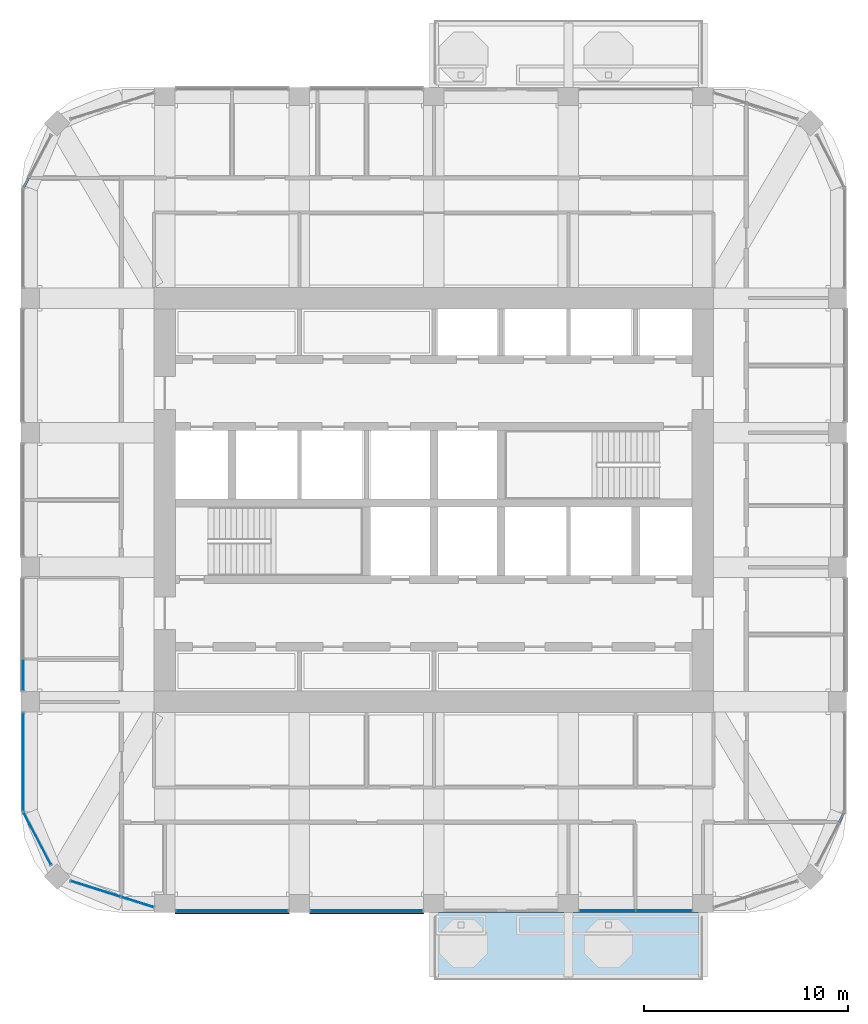
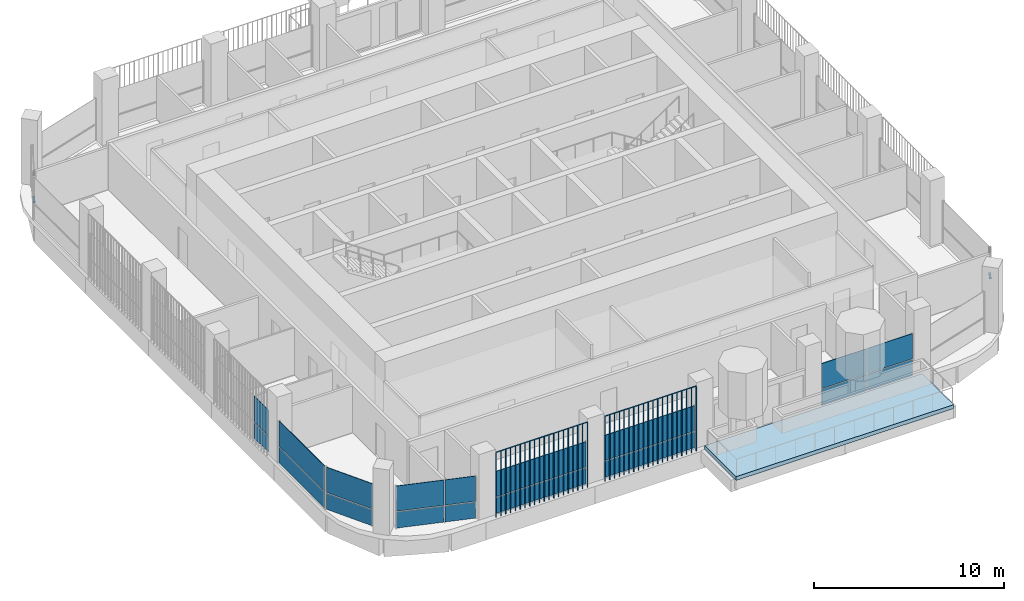
# One storey, part 8 of 21: 20 plates, 2 members, 1 slab, 9 elements without a shape of their own.
"""IFC4 building model written with IfcOpenShell, lengths in metres."""

from ifc_helpers import new_model, si_unit, direction, frame, origin, origin_2d, place, context, subcontext, project, spatial, polyline, rectangle, outline, extrude, material, layer, layer_set, material_profile, profile_set, type_object, element, aggregate, save


model = new_model("IFC4")

# Units and contexts
model_context = context("Model", 3, precision=1e-05, world=origin(), true_north=direction((0.0, 1.0)))
body_context = subcontext(model_context, "Body", "Model", "MODEL_VIEW")
ifc_project = project(units=[si_unit("LENGTHUNIT", "METRE"), si_unit("AREAUNIT", "SQUARE_METRE"), si_unit("VOLUMEUNIT", "CUBIC_METRE"), si_unit("PLANEANGLEUNIT", "RADIAN"), si_unit("MASSUNIT", "GRAM", prefix="KILO")], contexts=[model_context])

# Site, building, storey
site_placement = place(None, origin())
site = spatial("IfcSite", under=ifc_project, at=site_placement, CompositionType="ELEMENT")
building_placement = place(site_placement, origin())
building = spatial("IfcBuilding", under=site, at=building_placement, Name="Cobogo Forest Laboratory Tower", CompositionType="ELEMENT")
storey_placement = place(building_placement, frame((0.0, 0.0, 275.39990234375)))
storey = spatial("IfcBuildingStorey", under=building, at=storey_placement, Name="L63", CompositionType="ELEMENT", Elevation=275.39990234375)

# Curtain wall, member
ifc_material_1 = material(Name="Aluminium curtain wall", Category="aluminium")
curtain_wall_type = type_object("IfcCurtainWallType", Name="CW-2 unitised curtain wall, solar control glazing, laboratory floors zones C and D", PredefinedType="USERDEFINED", material=ifc_material_1)
curtain_wall_1_placement = place(storey_placement, origin())
curtain_wall_1 = element("IfcCurtainWall", 1, at=curtain_wall_1_placement, inside=storey, type_object=curtain_wall_type, Name="Curtain wall 06 L63", ObjectType="UNITISED CURTAIN WALL", PredefinedType="USERDEFINED")
ifc_material_2 = material(Name="Aluminium transom", Category="aluminium")
ifc_material_profile = material_profile(ifc_material_2, rectangle(XDim=0.1201171875, YDim=0.06005859375, at=origin_2d()), Name="AL 60x120")
ifc_profile_set = profile_set([ifc_material_profile], Name="Aluminium transom")
member_type = type_object("IfcMemberType", Name="TR-1 aluminium transom 60x120", PredefinedType="USERDEFINED", material=ifc_profile_set)
member_1_placement = place(storey_placement, frame((46.282470703125, 7.289306640625, 1.050048828125), z_axis=(0.46414828098, 0.885757513806, 0.0), x_axis=(-0.885757513806, 0.46414828098, 0.0)))
member_1 = element("IfcMember", 2, at=member_1_placement, type_object=member_type, Name="CW-2 transom 2.1", ObjectType="TRANSOM", PredefinedType="USERDEFINED", context=body_context, shape_type="SweptSolid", body=[
    extrude(rectangle(XDim=0.1201171875, YDim=0.06005859375, at=origin_2d()), origin(), (0.0, 0.0, 1.0), 0.5166015625),
])
aggregate(curtain_wall_1, [member_1])

curtain_wall_2_placement = place(storey_placement, origin())
curtain_wall_2 = element("IfcCurtainWall", 3, at=curtain_wall_2_placement, inside=storey, type_object=curtain_wall_type, Name="Curtain wall 19 L63", ObjectType="UNITISED CURTAIN WALL", PredefinedType="USERDEFINED")
member_2_placement = place(storey_placement, frame((6.517578125, 38.91064453125, 1.050048828125), z_axis=(-0.46414828098, -0.885757513806, 0.0), x_axis=(0.885757513806, -0.46414828098, 0.0)))
member_2 = element("IfcMember", 4, at=member_2_placement, type_object=member_type, Name="CW-2 transom 2.1", ObjectType="TRANSOM", PredefinedType="USERDEFINED", context=body_context, shape_type="SweptSolid", body=[
    extrude(rectangle(XDim=0.1201171875, YDim=0.06005859375, at=origin_2d()), origin(), (0.0, 0.0, 1.0), 0.5166015625),
])
aggregate(curtain_wall_2, [member_2])

# Slab
ifc_material_3 = material(Name="Concrete HA-40 (C40/50)", Category="concrete")
ifc_layer_1 = layer(ifc_material_3, 0.25)
ifc_layer_set_1 = layer_set([ifc_layer_1], Name="Balcony slab 250")
slab_type = type_object("IfcSlabType", Name="Balcony slab 250", PredefinedType="FLOOR", material=ifc_layer_set_1)
slab_placement = place(storey_placement, frame((0.0, 0.0, -0.25)))
element("IfcSlab", 5, at=slab_placement, inside=storey, type_object=slab_type, Name="Balcony BAL-S1 L63", PredefinedType="FLOOR", context=body_context, shape_type="SweptSolid", body=[
    extrude(outline(polyline([(26.39990234375, -0.449951171875), (39.60009765625, -0.449951171875), (39.60009765625, 2.85009765625), (26.39990234375, 2.85009765625), (26.39990234375, -0.449951171875)])), origin(), (0.0, 0.0, 1.0), 0.25),
])

# Curtain wall, plates
curtain_wall_3_placement = place(storey_placement, origin())
curtain_wall_3 = element("IfcCurtainWall", 6, at=curtain_wall_3_placement, inside=storey, type_object=curtain_wall_type, Name="Curtain wall 01 L63", ObjectType="UNITISED CURTAIN WALL", PredefinedType="USERDEFINED")
ifc_material_4 = material(Name="Solar control insulated glass", Category="glass")
ifc_layer_2 = layer(ifc_material_4, 0.031982421875)
ifc_layer_set_2 = layer_set([ifc_layer_2], Name="GP-2 solar control glass unit 32")
plate_type_1 = type_object("IfcPlateType", Name="GP-2 solar control glass unit 32", PredefinedType="CURTAIN_PANEL", material=ifc_layer_set_2)
plate_1_placement = place(storey_placement, frame((16.5, 2.949951171875, 0.0), z_axis=(0.0, 0.0, 1.0), x_axis=(1.0, 0.0, 0.0)))
plate_1 = element("IfcPlate", 7, at=plate_1_placement, type_object=plate_type_1, Name="CW-2 panel 1.1", PredefinedType="CURTAIN_PANEL", context=body_context, shape_type="SweptSolid", body=[
    extrude(rectangle(XDim=5.47998046875, YDim=0.031982421875, at=origin_2d()), origin(), (0.0, 0.0, 1.0), 1.02001953125),
])
plate_2_placement = place(storey_placement, frame((16.5, 2.949951171875, 1.080078125), z_axis=(0.0, 0.0, 1.0), x_axis=(1.0, 0.0, 0.0)))
plate_2 = element("IfcPlate", 8, at=plate_2_placement, type_object=plate_type_1, Name="CW-2 panel 1.2", PredefinedType="CURTAIN_PANEL", context=body_context, shape_type="SweptSolid", body=[
    extrude(rectangle(XDim=5.47998046875, YDim=0.031982421875, at=origin_2d()), origin(), (0.0, 0.0, 1.0), 1.6201171875),
])
aggregate(curtain_wall_3, [plate_1, plate_2])

curtain_wall_4_placement = place(storey_placement, origin())
curtain_wall_4 = element("IfcCurtainWall", 9, at=curtain_wall_4_placement, inside=storey, type_object=curtain_wall_type, Name="Curtain wall 02 L63", ObjectType="UNITISED CURTAIN WALL", PredefinedType="USERDEFINED")
plate_3_placement = place(storey_placement, frame((23.10009765625, 2.949951171875, 0.0), z_axis=(0.0, 0.0, 1.0), x_axis=(1.0, 0.0, 0.0)))
plate_3 = element("IfcPlate", 10, at=plate_3_placement, type_object=plate_type_1, Name="CW-2 panel 1.1", PredefinedType="CURTAIN_PANEL", context=body_context, shape_type="SweptSolid", body=[
    extrude(rectangle(XDim=5.47998046875, YDim=0.031982421875, at=origin_2d()), origin(), (0.0, 0.0, 1.0), 1.02001953125),
])
plate_4_placement = place(storey_placement, frame((23.10009765625, 2.949951171875, 1.080078125), z_axis=(0.0, 0.0, 1.0), x_axis=(1.0, 0.0, 0.0)))
plate_4 = element("IfcPlate", 11, at=plate_4_placement, type_object=plate_type_1, Name="CW-2 panel 1.2", PredefinedType="CURTAIN_PANEL", context=body_context, shape_type="SweptSolid", body=[
    extrude(rectangle(XDim=5.47998046875, YDim=0.031982421875, at=origin_2d()), origin(), (0.0, 0.0, 1.0), 1.6201171875),
])
aggregate(curtain_wall_4, [plate_3, plate_4])

curtain_wall_5_placement = place(storey_placement, origin())
curtain_wall_5 = element("IfcCurtainWall", 12, at=curtain_wall_5_placement, inside=storey, type_object=curtain_wall_type, Name="Curtain wall 04 L63", ObjectType="UNITISED CURTAIN WALL", PredefinedType="USERDEFINED")
plate_5_placement = place(storey_placement, frame((34.9150390625, 2.949951171875, 0.0), z_axis=(0.0, 0.0, 1.0), x_axis=(1.0, 0.0, 0.0)))
plate_5 = element("IfcPlate", 13, at=plate_5_placement, type_object=plate_type_1, Name="CW-2 panel 1.1", PredefinedType="CURTAIN_PANEL", context=body_context, shape_type="SweptSolid", body=[
    extrude(rectangle(XDim=2.7099609375, YDim=0.031982421875, at=origin_2d()), origin(), (0.0, 0.0, 1.0), 1.02001953125),
])
plate_6_placement = place(storey_placement, frame((34.9150390625, 2.949951171875, 1.080078125), z_axis=(0.0, 0.0, 1.0), x_axis=(1.0, 0.0, 0.0)))
plate_6 = element("IfcPlate", 14, at=plate_6_placement, type_object=plate_type_1, Name="CW-2 panel 1.2", PredefinedType="CURTAIN_PANEL", context=body_context, shape_type="SweptSolid", body=[
    extrude(rectangle(XDim=2.7099609375, YDim=0.031982421875, at=origin_2d()), origin(), (0.0, 0.0, 1.0), 1.6201171875),
])
plate_7_placement = place(storey_placement, frame((37.68505859375, 2.949951171875, 0.0), z_axis=(0.0, 0.0, 1.0), x_axis=(1.0, 0.0, 0.0)))
plate_7 = element("IfcPlate", 15, at=plate_7_placement, type_object=plate_type_1, Name="CW-2 panel 2.1", PredefinedType="CURTAIN_PANEL", context=body_context, shape_type="SweptSolid", body=[
    extrude(rectangle(XDim=2.7099609375, YDim=0.031982421875, at=origin_2d()), origin(), (0.0, 0.0, 1.0), 1.02001953125),
])
plate_8_placement = place(storey_placement, frame((37.68505859375, 2.949951171875, 1.080078125), z_axis=(0.0, 0.0, 1.0), x_axis=(1.0, 0.0, 0.0)))
plate_8 = element("IfcPlate", 16, at=plate_8_placement, type_object=plate_type_1, Name="CW-2 panel 2.2", PredefinedType="CURTAIN_PANEL", context=body_context, shape_type="SweptSolid", body=[
    extrude(rectangle(XDim=2.7099609375, YDim=0.031982421875, at=origin_2d()), origin(), (0.0, 0.0, 1.0), 1.6201171875),
])
aggregate(curtain_wall_5, [plate_5, plate_6, plate_7, plate_8])

curtain_wall_6_placement = place(storey_placement, origin())
curtain_wall_6 = element("IfcCurtainWall", 17, at=curtain_wall_6_placement, inside=storey, type_object=curtain_wall_type, Name="Curtain wall 23 L63", ObjectType="UNITISED CURTAIN WALL", PredefinedType="USERDEFINED")
plate_9_placement = place(storey_placement, frame((6.25, 14.514892578125, 0.0), z_axis=(0.0, 0.0, 1.0), x_axis=(0.0, -1.0, 0.0)))
plate_9 = element("IfcPlate", 18, at=plate_9_placement, type_object=plate_type_1, Name="CW-2 panel 2.1", PredefinedType="CURTAIN_PANEL", context=body_context, shape_type="SweptSolid", body=[
    extrude(rectangle(XDim=1.510009765625, YDim=0.031982421875, at=origin_2d()), origin(), (0.0, 0.0, 1.0), 1.02001953125),
])
plate_10_placement = place(storey_placement, frame((6.25, 14.514892578125, 1.080078125), z_axis=(0.0, 0.0, 1.0), x_axis=(0.0, -1.0, 0.0)))
plate_10 = element("IfcPlate", 19, at=plate_10_placement, type_object=plate_type_1, Name="CW-2 panel 2.2", PredefinedType="CURTAIN_PANEL", context=body_context, shape_type="SweptSolid", body=[
    extrude(rectangle(XDim=1.510009765625, YDim=0.031982421875, at=origin_2d()), origin(), (0.0, 0.0, 1.0), 1.6201171875),
])
aggregate(curtain_wall_6, [plate_9, plate_10])

curtain_wall_7_placement = place(storey_placement, origin())
curtain_wall_7 = element("IfcCurtainWall", 20, at=curtain_wall_7_placement, inside=storey, type_object=curtain_wall_type, Name="Curtain wall 24 L63", ObjectType="UNITISED CURTAIN WALL", PredefinedType="USERDEFINED")
plate_11_placement = place(storey_placement, frame((6.25, 10.25, 0.0), z_axis=(0.0, 0.0, 1.0), x_axis=(0.0, -1.0, 0.0)))
plate_11 = element("IfcPlate", 21, at=plate_11_placement, type_object=plate_type_1, Name="CW-2 panel 1.1", PredefinedType="CURTAIN_PANEL", context=body_context, shape_type="SweptSolid", body=[
    extrude(rectangle(XDim=4.780029296875, YDim=0.031982421875, at=origin_2d()), origin(), (0.0, 0.0, 1.0), 1.02001953125),
])
plate_12_placement = place(storey_placement, frame((6.25, 10.25, 1.080078125), z_axis=(0.0, 0.0, 1.0), x_axis=(0.0, -1.0, 0.0)))
plate_12 = element("IfcPlate", 22, at=plate_12_placement, type_object=plate_type_1, Name="CW-2 panel 1.2", PredefinedType="CURTAIN_PANEL", context=body_context, shape_type="SweptSolid", body=[
    extrude(rectangle(XDim=4.780029296875, YDim=0.031982421875, at=origin_2d()), origin(), (0.0, 0.0, 1.0), 1.6201171875),
])
aggregate(curtain_wall_7, [plate_11, plate_12])

curtain_wall_8_placement = place(storey_placement, origin())
curtain_wall_8 = element("IfcCurtainWall", 23, at=curtain_wall_8_placement, inside=storey, type_object=curtain_wall_type, Name="Curtain wall 25 L63", ObjectType="UNITISED CURTAIN WALL", PredefinedType="USERDEFINED")
plate_13_placement = place(storey_placement, frame((6.94287109375, 6.47802734375, 0.0), z_axis=(0.0, 0.0, 1.0), x_axis=(0.464283778337, -0.885686498245, 0.0)))
plate_13 = element("IfcPlate", 24, at=plate_13_placement, type_object=plate_type_1, Name="CW-2 panel 1.1", PredefinedType="CURTAIN_PANEL", context=body_context, shape_type="SweptSolid", body=[
    extrude(rectangle(XDim=2.864990234375, YDim=0.031982421875, at=origin_2d()), origin(), (0.0, 0.0, 1.0), 1.02001953125),
])
plate_14_placement = place(storey_placement, frame((6.94287109375, 6.47802734375, 1.080078125), z_axis=(0.0, 0.0, 1.0), x_axis=(0.464283778337, -0.885686498245, 0.0)))
plate_14 = element("IfcPlate", 25, at=plate_14_placement, type_object=plate_type_1, Name="CW-2 panel 1.2", PredefinedType="CURTAIN_PANEL", context=body_context, shape_type="SweptSolid", body=[
    extrude(rectangle(XDim=2.864990234375, YDim=0.031982421875, at=origin_2d()), origin(), (0.0, 0.0, 1.0), 1.6201171875),
])
aggregate(curtain_wall_8, [plate_13, plate_14])

curtain_wall_9_placement = place(storey_placement, origin())
curtain_wall_9 = element("IfcCurtainWall", 26, at=curtain_wall_9_placement, inside=storey, type_object=curtain_wall_type, Name="Curtain wall 26 L63", ObjectType="UNITISED CURTAIN WALL", PredefinedType="USERDEFINED")
plate_15_placement = place(storey_placement, frame((9.810546875, 4.0205078125, 0.0), z_axis=(0.0, 0.0, 1.0), x_axis=(0.953581379409, -0.301135439371, 0.0)))
plate_15 = element("IfcPlate", 27, at=plate_15_placement, type_object=plate_type_1, Name="CW-2 panel 1.1", PredefinedType="CURTAIN_PANEL", context=body_context, shape_type="SweptSolid", body=[
    extrude(rectangle(XDim=2.541748046875, YDim=0.031982421875, at=origin_2d()), origin(), (0.0, 0.0, 1.0), 1.02001953125),
])
plate_16_placement = place(storey_placement, frame((9.810546875, 4.0205078125, 1.080078125), z_axis=(0.0, 0.0, 1.0), x_axis=(0.953581379409, -0.301135439371, 0.0)))
plate_16 = element("IfcPlate", 28, at=plate_16_placement, type_object=plate_type_1, Name="CW-2 panel 1.2", PredefinedType="CURTAIN_PANEL", context=body_context, shape_type="SweptSolid", body=[
    extrude(rectangle(XDim=2.541748046875, YDim=0.031982421875, at=origin_2d()), origin(), (0.0, 0.0, 1.0), 1.6201171875),
])
plate_17_placement = place(storey_placement, frame((11.861083984375, 3.372802734375, 0.0), z_axis=(0.0, 0.0, 1.0), x_axis=(0.953581379409, -0.301135439371, 0.0)))
plate_17 = element("IfcPlate", 29, at=plate_17_placement, type_object=plate_type_1, Name="CW-2 panel 2.1", PredefinedType="CURTAIN_PANEL", context=body_context, shape_type="SweptSolid", body=[
    extrude(rectangle(XDim=1.639404296875, YDim=0.031982421875, at=origin_2d()), origin(), (0.0, 0.0, 1.0), 1.02001953125),
])
plate_18_placement = place(storey_placement, frame((11.861083984375, 3.372802734375, 1.080078125), z_axis=(0.0, 0.0, 1.0), x_axis=(0.953581379409, -0.301135439371, 0.0)))
plate_18 = element("IfcPlate", 30, at=plate_18_placement, type_object=plate_type_1, Name="CW-2 panel 2.2", PredefinedType="CURTAIN_PANEL", context=body_context, shape_type="SweptSolid", body=[
    extrude(rectangle(XDim=1.639404296875, YDim=0.031982421875, at=origin_2d()), origin(), (0.0, 0.0, 1.0), 1.6201171875),
])
aggregate(curtain_wall_9, [plate_15, plate_16, plate_17, plate_18])

# Plates
ifc_material_5 = material(Name="Terracotta", Category="masonry")
plate_type_2 = type_object("IfcPlateType", Name="TB1 terracotta baguette screen", PredefinedType="USERDEFINED", material=ifc_material_5)
plate_19_placement = place(storey_placement, frame((13.731201171875, 2.822021484375, -0.14990234375)))
element("IfcPlate", 31, at=plate_19_placement, inside=storey, type_object=plate_type_2, Name="Baguette screen S1 L63", ObjectType="BAGUETTE SCREEN", PredefinedType="USERDEFINED", context=body_context, shape_type="SweptSolid", body=[
    extrude(outline(polyline([(0.02880859375, 0.011962890625), (0.011962890625, 0.02880859375), (-0.011962890625, 0.02880859375), (-0.02880859375, 0.011962890625), (-0.02880859375, -0.011962890625), (-0.011962890625, -0.02880859375), (0.011962890625, -0.02880859375), (0.02880859375, -0.011962890625), (0.02880859375, 0.011962890625)])), frame((0.0, 0.0, 4.168701171875), z_axis=(1.0, 0.0, 0.0), x_axis=(0.0, 1.0, 0.0)), (0.0, 0.0, 1.0), 5.53759765625),
    extrude(outline(polyline([(0.02880859375, 0.011962890625), (0.011962890625, 0.02880859375), (-0.011962890625, 0.02880859375), (-0.02880859375, 0.011962890625), (-0.02880859375, -0.011962890625), (-0.011962890625, -0.02880859375), (0.011962890625, -0.02880859375), (0.02880859375, -0.011962890625), (0.02880859375, 0.011962890625)])), origin(), (0.0, 0.0, 1.0), 4.137451171875),
    extrude(outline(polyline([(0.02880859375, 0.011962890625), (0.011962890625, 0.02880859375), (-0.011962890625, 0.02880859375), (-0.02880859375, 0.011962890625), (-0.02880859375, -0.011962890625), (-0.011962890625, -0.02880859375), (0.011962890625, -0.02880859375), (0.02880859375, -0.011962890625), (0.02880859375, 0.011962890625)])), frame((0.29150390625, 0.0, 0.0)), (0.0, 0.0, 1.0), 4.137451171875),
    extrude(outline(polyline([(0.02880859375, 0.011962890625), (0.011962890625, 0.02880859375), (-0.011962890625, 0.02880859375), (-0.02880859375, 0.011962890625), (-0.02880859375, -0.011962890625), (-0.011962890625, -0.02880859375), (0.011962890625, -0.02880859375), (0.02880859375, -0.011962890625), (0.02880859375, 0.011962890625)])), frame((0.5830078125, 0.0, 0.0)), (0.0, 0.0, 1.0), 4.137451171875),
    extrude(outline(polyline([(0.02880859375, 0.011962890625), (0.011962890625, 0.02880859375), (-0.011962890625, 0.02880859375), (-0.02880859375, 0.011962890625), (-0.02880859375, -0.011962890625), (-0.011962890625, -0.02880859375), (0.011962890625, -0.02880859375), (0.02880859375, -0.011962890625), (0.02880859375, 0.011962890625)])), frame((0.874267578125, 0.0, 0.0)), (0.0, 0.0, 1.0), 4.137451171875),
    extrude(outline(polyline([(0.02880859375, 0.011962890625), (0.011962890625, 0.02880859375), (-0.011962890625, 0.02880859375), (-0.02880859375, 0.011962890625), (-0.02880859375, -0.011962890625), (-0.011962890625, -0.02880859375), (0.011962890625, -0.02880859375), (0.02880859375, -0.011962890625), (0.02880859375, 0.011962890625)])), frame((1.165771484375, 0.0, 0.0)), (0.0, 0.0, 1.0), 4.137451171875),
    extrude(outline(polyline([(0.02880859375, 0.011962890625), (0.011962890625, 0.02880859375), (-0.011962890625, 0.02880859375), (-0.02880859375, 0.011962890625), (-0.02880859375, -0.011962890625), (-0.011962890625, -0.02880859375), (0.011962890625, -0.02880859375), (0.02880859375, -0.011962890625), (0.02880859375, 0.011962890625)])), frame((1.457275390625, 0.0, 0.0)), (0.0, 0.0, 1.0), 4.137451171875),
    extrude(outline(polyline([(0.02880859375, 0.011962890625), (0.011962890625, 0.02880859375), (-0.011962890625, 0.02880859375), (-0.02880859375, 0.011962890625), (-0.02880859375, -0.011962890625), (-0.011962890625, -0.02880859375), (0.011962890625, -0.02880859375), (0.02880859375, -0.011962890625), (0.02880859375, 0.011962890625)])), frame((1.748779296875, 0.0, 0.0)), (0.0, 0.0, 1.0), 4.137451171875),
    extrude(outline(polyline([(0.02880859375, 0.011962890625), (0.011962890625, 0.02880859375), (-0.011962890625, 0.02880859375), (-0.02880859375, 0.011962890625), (-0.02880859375, -0.011962890625), (-0.011962890625, -0.02880859375), (0.011962890625, -0.02880859375), (0.02880859375, -0.011962890625), (0.02880859375, 0.011962890625)])), frame((2.040283203125, 0.0, 0.0)), (0.0, 0.0, 1.0), 4.137451171875),
    extrude(outline(polyline([(0.02880859375, 0.011962890625), (0.011962890625, 0.02880859375), (-0.011962890625, 0.02880859375), (-0.02880859375, 0.011962890625), (-0.02880859375, -0.011962890625), (-0.011962890625, -0.02880859375), (0.011962890625, -0.02880859375), (0.02880859375, -0.011962890625), (0.02880859375, 0.011962890625)])), frame((2.33154296875, 0.0, 0.0)), (0.0, 0.0, 1.0), 4.137451171875),
    extrude(outline(polyline([(0.02880859375, 0.011962890625), (0.011962890625, 0.02880859375), (-0.011962890625, 0.02880859375), (-0.02880859375, 0.011962890625), (-0.02880859375, -0.011962890625), (-0.011962890625, -0.02880859375), (0.011962890625, -0.02880859375), (0.02880859375, -0.011962890625), (0.02880859375, 0.011962890625)])), frame((2.623046875, 0.0, 0.0)), (0.0, 0.0, 1.0), 4.137451171875),
    extrude(outline(polyline([(0.02880859375, 0.011962890625), (0.011962890625, 0.02880859375), (-0.011962890625, 0.02880859375), (-0.02880859375, 0.011962890625), (-0.02880859375, -0.011962890625), (-0.011962890625, -0.02880859375), (0.011962890625, -0.02880859375), (0.02880859375, -0.011962890625), (0.02880859375, 0.011962890625)])), frame((2.91455078125, 0.0, 0.0)), (0.0, 0.0, 1.0), 4.137451171875),
    extrude(outline(polyline([(0.02880859375, 0.011962890625), (0.011962890625, 0.02880859375), (-0.011962890625, 0.02880859375), (-0.02880859375, 0.011962890625), (-0.02880859375, -0.011962890625), (-0.011962890625, -0.02880859375), (0.011962890625, -0.02880859375), (0.02880859375, -0.011962890625), (0.02880859375, 0.011962890625)])), frame((3.2060546875, 0.0, 0.0)), (0.0, 0.0, 1.0), 4.137451171875),
    extrude(outline(polyline([(0.02880859375, 0.011962890625), (0.011962890625, 0.02880859375), (-0.011962890625, 0.02880859375), (-0.02880859375, 0.011962890625), (-0.02880859375, -0.011962890625), (-0.011962890625, -0.02880859375), (0.011962890625, -0.02880859375), (0.02880859375, -0.011962890625), (0.02880859375, 0.011962890625)])), frame((3.497314453125, 0.0, 0.0)), (0.0, 0.0, 1.0), 4.137451171875),
    extrude(outline(polyline([(0.02880859375, 0.011962890625), (0.011962890625, 0.02880859375), (-0.011962890625, 0.02880859375), (-0.02880859375, 0.011962890625), (-0.02880859375, -0.011962890625), (-0.011962890625, -0.02880859375), (0.011962890625, -0.02880859375), (0.02880859375, -0.011962890625), (0.02880859375, 0.011962890625)])), frame((3.788818359375, 0.0, 0.0)), (0.0, 0.0, 1.0), 4.137451171875),
    extrude(outline(polyline([(0.02880859375, 0.011962890625), (0.011962890625, 0.02880859375), (-0.011962890625, 0.02880859375), (-0.02880859375, 0.011962890625), (-0.02880859375, -0.011962890625), (-0.011962890625, -0.02880859375), (0.011962890625, -0.02880859375), (0.02880859375, -0.011962890625), (0.02880859375, 0.011962890625)])), frame((4.080322265625, 0.0, 0.0)), (0.0, 0.0, 1.0), 4.137451171875),
    extrude(outline(polyline([(0.02880859375, 0.011962890625), (0.011962890625, 0.02880859375), (-0.011962890625, 0.02880859375), (-0.02880859375, 0.011962890625), (-0.02880859375, -0.011962890625), (-0.011962890625, -0.02880859375), (0.011962890625, -0.02880859375), (0.02880859375, -0.011962890625), (0.02880859375, 0.011962890625)])), frame((4.371826171875, 0.0, 0.0)), (0.0, 0.0, 1.0), 4.137451171875),
    extrude(outline(polyline([(0.02880859375, 0.011962890625), (0.011962890625, 0.02880859375), (-0.011962890625, 0.02880859375), (-0.02880859375, 0.011962890625), (-0.02880859375, -0.011962890625), (-0.011962890625, -0.02880859375), (0.011962890625, -0.02880859375), (0.02880859375, -0.011962890625), (0.02880859375, 0.011962890625)])), frame((4.663330078125, 0.0, 0.0)), (0.0, 0.0, 1.0), 4.137451171875),
    extrude(outline(polyline([(0.02880859375, 0.011962890625), (0.011962890625, 0.02880859375), (-0.011962890625, 0.02880859375), (-0.02880859375, 0.011962890625), (-0.02880859375, -0.011962890625), (-0.011962890625, -0.02880859375), (0.011962890625, -0.02880859375), (0.02880859375, -0.011962890625), (0.02880859375, 0.011962890625)])), frame((4.95458984375, 0.0, 0.0)), (0.0, 0.0, 1.0), 4.137451171875),
    extrude(outline(polyline([(0.02880859375, 0.011962890625), (0.011962890625, 0.02880859375), (-0.011962890625, 0.02880859375), (-0.02880859375, 0.011962890625), (-0.02880859375, -0.011962890625), (-0.011962890625, -0.02880859375), (0.011962890625, -0.02880859375), (0.02880859375, -0.011962890625), (0.02880859375, 0.011962890625)])), frame((5.24609375, 0.0, 0.0)), (0.0, 0.0, 1.0), 4.137451171875),
    extrude(outline(polyline([(0.02880859375, 0.011962890625), (0.011962890625, 0.02880859375), (-0.011962890625, 0.02880859375), (-0.02880859375, 0.011962890625), (-0.02880859375, -0.011962890625), (-0.011962890625, -0.02880859375), (0.011962890625, -0.02880859375), (0.02880859375, -0.011962890625), (0.02880859375, 0.011962890625)])), frame((5.53759765625, 0.0, 0.0)), (0.0, 0.0, 1.0), 4.137451171875),
])
plate_20_placement = place(storey_placement, frame((20.331298828125, 2.822021484375, -0.14990234375)))
element("IfcPlate", 32, at=plate_20_placement, inside=storey, type_object=plate_type_2, Name="Baguette screen S2 L63", ObjectType="BAGUETTE SCREEN", PredefinedType="USERDEFINED", context=body_context, shape_type="SweptSolid", body=[
    extrude(outline(polyline([(0.02880859375, 0.011962890625), (0.011962890625, 0.02880859375), (-0.011962890625, 0.02880859375), (-0.02880859375, 0.011962890625), (-0.02880859375, -0.011962890625), (-0.011962890625, -0.02880859375), (0.011962890625, -0.02880859375), (0.02880859375, -0.011962890625), (0.02880859375, 0.011962890625)])), frame((0.0, 0.0, 4.168701171875), z_axis=(1.0, 0.0, 0.0), x_axis=(0.0, 1.0, 0.0)), (0.0, 0.0, 1.0), 5.537353515625),
    extrude(outline(polyline([(0.02880859375, 0.011962890625), (0.011962890625, 0.02880859375), (-0.011962890625, 0.02880859375), (-0.02880859375, 0.011962890625), (-0.02880859375, -0.011962890625), (-0.011962890625, -0.02880859375), (0.011962890625, -0.02880859375), (0.02880859375, -0.011962890625), (0.02880859375, 0.011962890625)])), origin(), (0.0, 0.0, 1.0), 4.137451171875),
    extrude(outline(polyline([(0.02880859375, 0.011962890625), (0.011962890625, 0.02880859375), (-0.011962890625, 0.02880859375), (-0.02880859375, 0.011962890625), (-0.02880859375, -0.011962890625), (-0.011962890625, -0.02880859375), (0.011962890625, -0.02880859375), (0.02880859375, -0.011962890625), (0.02880859375, 0.011962890625)])), frame((0.29150390625, 0.0, 0.0)), (0.0, 0.0, 1.0), 4.137451171875),
    extrude(outline(polyline([(0.02880859375, 0.011962890625), (0.011962890625, 0.02880859375), (-0.011962890625, 0.02880859375), (-0.02880859375, 0.011962890625), (-0.02880859375, -0.011962890625), (-0.011962890625, -0.02880859375), (0.011962890625, -0.02880859375), (0.02880859375, -0.011962890625), (0.02880859375, 0.011962890625)])), frame((0.582763671875, 0.0, 0.0)), (0.0, 0.0, 1.0), 4.137451171875),
    extrude(outline(polyline([(0.02880859375, 0.011962890625), (0.011962890625, 0.02880859375), (-0.011962890625, 0.02880859375), (-0.02880859375, 0.011962890625), (-0.02880859375, -0.011962890625), (-0.011962890625, -0.02880859375), (0.011962890625, -0.02880859375), (0.02880859375, -0.011962890625), (0.02880859375, 0.011962890625)])), frame((0.874267578125, 0.0, 0.0)), (0.0, 0.0, 1.0), 4.137451171875),
    extrude(outline(polyline([(0.02880859375, 0.011962890625), (0.011962890625, 0.02880859375), (-0.011962890625, 0.02880859375), (-0.02880859375, 0.011962890625), (-0.02880859375, -0.011962890625), (-0.011962890625, -0.02880859375), (0.011962890625, -0.02880859375), (0.02880859375, -0.011962890625), (0.02880859375, 0.011962890625)])), frame((1.165771484375, 0.0, 0.0)), (0.0, 0.0, 1.0), 4.137451171875),
    extrude(outline(polyline([(0.02880859375, 0.011962890625), (0.011962890625, 0.02880859375), (-0.011962890625, 0.02880859375), (-0.02880859375, 0.011962890625), (-0.02880859375, -0.011962890625), (-0.011962890625, -0.02880859375), (0.011962890625, -0.02880859375), (0.02880859375, -0.011962890625), (0.02880859375, 0.011962890625)])), frame((1.457275390625, 0.0, 0.0)), (0.0, 0.0, 1.0), 4.137451171875),
    extrude(outline(polyline([(0.02880859375, 0.011962890625), (0.011962890625, 0.02880859375), (-0.011962890625, 0.02880859375), (-0.02880859375, 0.011962890625), (-0.02880859375, -0.011962890625), (-0.011962890625, -0.02880859375), (0.011962890625, -0.02880859375), (0.02880859375, -0.011962890625), (0.02880859375, 0.011962890625)])), frame((1.74853515625, 0.0, 0.0)), (0.0, 0.0, 1.0), 4.137451171875),
    extrude(outline(polyline([(0.02880859375, 0.011962890625), (0.011962890625, 0.02880859375), (-0.011962890625, 0.02880859375), (-0.02880859375, 0.011962890625), (-0.02880859375, -0.011962890625), (-0.011962890625, -0.02880859375), (0.011962890625, -0.02880859375), (0.02880859375, -0.011962890625), (0.02880859375, 0.011962890625)])), frame((2.0400390625, 0.0, 0.0)), (0.0, 0.0, 1.0), 4.137451171875),
    extrude(outline(polyline([(0.02880859375, 0.011962890625), (0.011962890625, 0.02880859375), (-0.011962890625, 0.02880859375), (-0.02880859375, 0.011962890625), (-0.02880859375, -0.011962890625), (-0.011962890625, -0.02880859375), (0.011962890625, -0.02880859375), (0.02880859375, -0.011962890625), (0.02880859375, 0.011962890625)])), frame((2.33154296875, 0.0, 0.0)), (0.0, 0.0, 1.0), 4.137451171875),
    extrude(outline(polyline([(0.02880859375, 0.011962890625), (0.011962890625, 0.02880859375), (-0.011962890625, 0.02880859375), (-0.02880859375, 0.011962890625), (-0.02880859375, -0.011962890625), (-0.011962890625, -0.02880859375), (0.011962890625, -0.02880859375), (0.02880859375, -0.011962890625), (0.02880859375, 0.011962890625)])), frame((2.623046875, 0.0, 0.0)), (0.0, 0.0, 1.0), 4.137451171875),
    extrude(outline(polyline([(0.02880859375, 0.011962890625), (0.011962890625, 0.02880859375), (-0.011962890625, 0.02880859375), (-0.02880859375, 0.011962890625), (-0.02880859375, -0.011962890625), (-0.011962890625, -0.02880859375), (0.011962890625, -0.02880859375), (0.02880859375, -0.011962890625), (0.02880859375, 0.011962890625)])), frame((2.914306640625, 0.0, 0.0)), (0.0, 0.0, 1.0), 4.137451171875),
    extrude(outline(polyline([(0.02880859375, 0.011962890625), (0.011962890625, 0.02880859375), (-0.011962890625, 0.02880859375), (-0.02880859375, 0.011962890625), (-0.02880859375, -0.011962890625), (-0.011962890625, -0.02880859375), (0.011962890625, -0.02880859375), (0.02880859375, -0.011962890625), (0.02880859375, 0.011962890625)])), frame((3.205810546875, 0.0, 0.0)), (0.0, 0.0, 1.0), 4.137451171875),
    extrude(outline(polyline([(0.02880859375, 0.011962890625), (0.011962890625, 0.02880859375), (-0.011962890625, 0.02880859375), (-0.02880859375, 0.011962890625), (-0.02880859375, -0.011962890625), (-0.011962890625, -0.02880859375), (0.011962890625, -0.02880859375), (0.02880859375, -0.011962890625), (0.02880859375, 0.011962890625)])), frame((3.497314453125, 0.0, 0.0)), (0.0, 0.0, 1.0), 4.137451171875),
    extrude(outline(polyline([(0.02880859375, 0.011962890625), (0.011962890625, 0.02880859375), (-0.011962890625, 0.02880859375), (-0.02880859375, 0.011962890625), (-0.02880859375, -0.011962890625), (-0.011962890625, -0.02880859375), (0.011962890625, -0.02880859375), (0.02880859375, -0.011962890625), (0.02880859375, 0.011962890625)])), frame((3.788818359375, 0.0, 0.0)), (0.0, 0.0, 1.0), 4.137451171875),
    extrude(outline(polyline([(0.02880859375, 0.011962890625), (0.011962890625, 0.02880859375), (-0.011962890625, 0.02880859375), (-0.02880859375, 0.011962890625), (-0.02880859375, -0.011962890625), (-0.011962890625, -0.02880859375), (0.011962890625, -0.02880859375), (0.02880859375, -0.011962890625), (0.02880859375, 0.011962890625)])), frame((4.080078125, 0.0, 0.0)), (0.0, 0.0, 1.0), 4.137451171875),
    extrude(outline(polyline([(0.02880859375, 0.011962890625), (0.011962890625, 0.02880859375), (-0.011962890625, 0.02880859375), (-0.02880859375, 0.011962890625), (-0.02880859375, -0.011962890625), (-0.011962890625, -0.02880859375), (0.011962890625, -0.02880859375), (0.02880859375, -0.011962890625), (0.02880859375, 0.011962890625)])), frame((4.37158203125, 0.0, 0.0)), (0.0, 0.0, 1.0), 4.137451171875),
    extrude(outline(polyline([(0.02880859375, 0.011962890625), (0.011962890625, 0.02880859375), (-0.011962890625, 0.02880859375), (-0.02880859375, 0.011962890625), (-0.02880859375, -0.011962890625), (-0.011962890625, -0.02880859375), (0.011962890625, -0.02880859375), (0.02880859375, -0.011962890625), (0.02880859375, 0.011962890625)])), frame((4.6630859375, 0.0, 0.0)), (0.0, 0.0, 1.0), 4.137451171875),
    extrude(outline(polyline([(0.02880859375, 0.011962890625), (0.011962890625, 0.02880859375), (-0.011962890625, 0.02880859375), (-0.02880859375, 0.011962890625), (-0.02880859375, -0.011962890625), (-0.011962890625, -0.02880859375), (0.011962890625, -0.02880859375), (0.02880859375, -0.011962890625), (0.02880859375, 0.011962890625)])), frame((4.95458984375, 0.0, 0.0)), (0.0, 0.0, 1.0), 4.137451171875),
    extrude(outline(polyline([(0.02880859375, 0.011962890625), (0.011962890625, 0.02880859375), (-0.011962890625, 0.02880859375), (-0.02880859375, 0.011962890625), (-0.02880859375, -0.011962890625), (-0.011962890625, -0.02880859375), (0.011962890625, -0.02880859375), (0.02880859375, -0.011962890625), (0.02880859375, 0.011962890625)])), frame((5.245849609375, 0.0, 0.0)), (0.0, 0.0, 1.0), 4.137451171875),
    extrude(outline(polyline([(0.02880859375, 0.011962890625), (0.011962890625, 0.02880859375), (-0.011962890625, 0.02880859375), (-0.02880859375, 0.011962890625), (-0.02880859375, -0.011962890625), (-0.011962890625, -0.02880859375), (0.011962890625, -0.02880859375), (0.02880859375, -0.011962890625), (0.02880859375, 0.011962890625)])), frame((5.537353515625, 0.0, 0.0)), (0.0, 0.0, 1.0), 4.137451171875),
])

save(model, "model.ifc")
